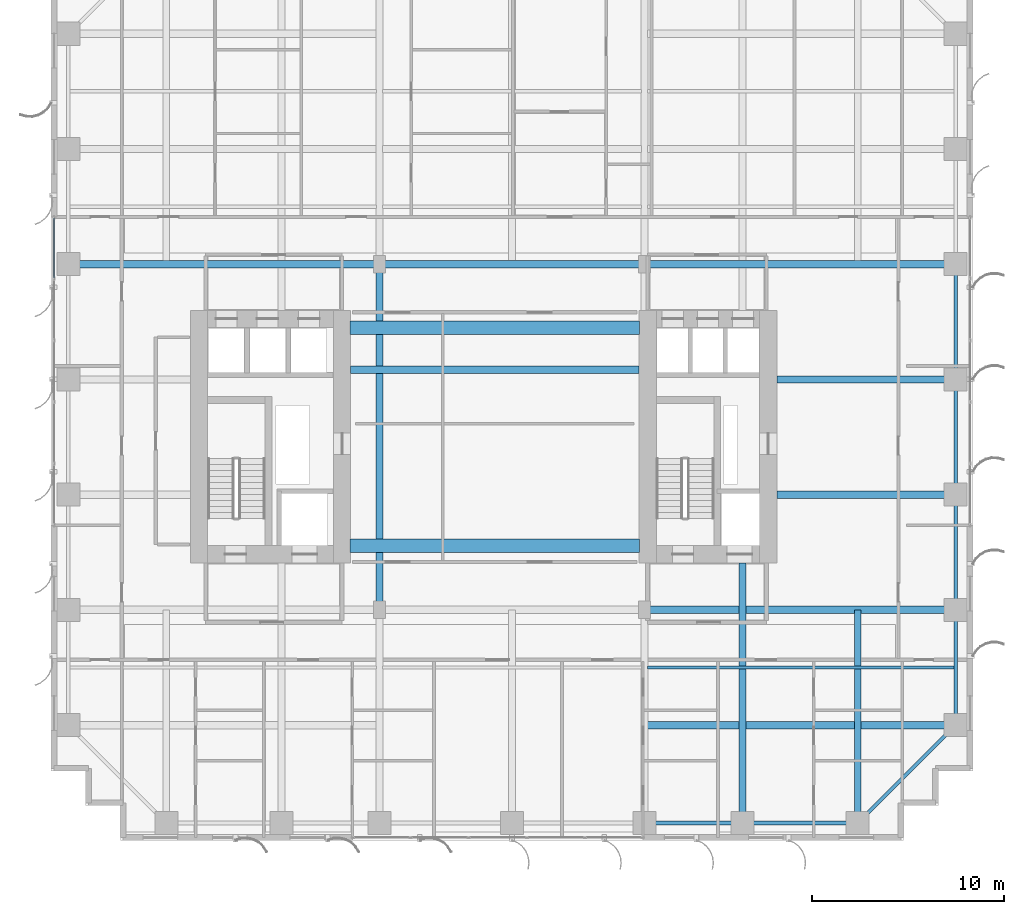
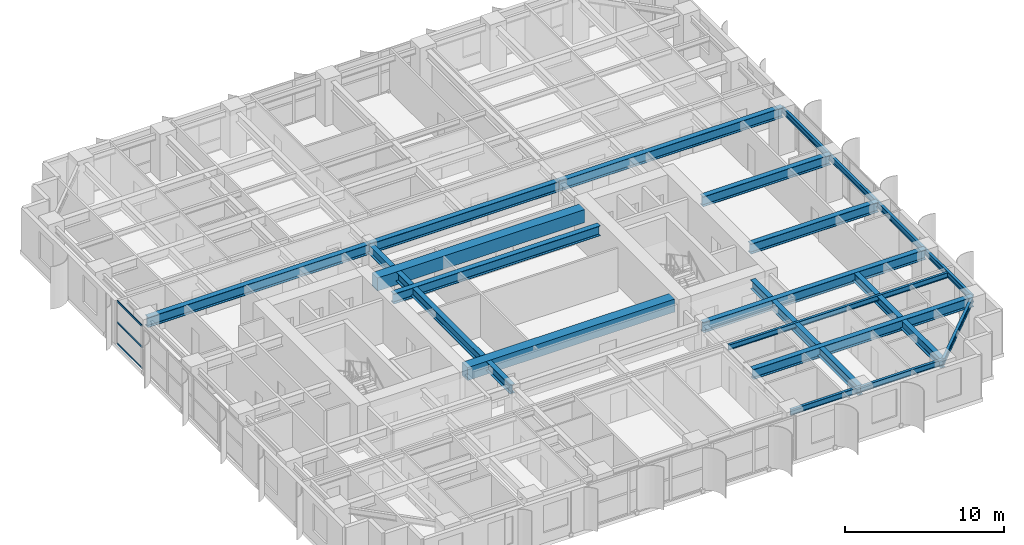
# One storey, part 6 of 24: 21 beams, 3 members, 1 element without a shape of its own.
"""IFC4 building model written with IfcOpenShell, lengths in metres."""

from ifc_helpers import new_model, si_unit, direction, frame, origin, origin_2d, place, context, subcontext, project, spatial, rectangle, hollow_rectangle, i_section, extrude, source, transform, mapped, material, layer, layer_set, material_profile, profile_set, type_object, element, aggregate, save


model = new_model("IFC4")

# Units and contexts
model_context = context("Model", 3, precision=1e-05, world=origin(), true_north=direction((0.0, 1.0)))
body_context = subcontext(model_context, "Body", "Model", "MODEL_VIEW")
ifc_project = project(units=[si_unit("LENGTHUNIT", "METRE"), si_unit("AREAUNIT", "SQUARE_METRE"), si_unit("VOLUMEUNIT", "CUBIC_METRE"), si_unit("PLANEANGLEUNIT", "RADIAN"), si_unit("MASSUNIT", "GRAM", prefix="KILO")], contexts=[model_context])

# Site, building, storey
site_placement = place(None, origin())
site = spatial("IfcSite", under=ifc_project, at=site_placement, CompositionType="ELEMENT")
building_placement = place(site_placement, origin())
building = spatial("IfcBuilding", under=site, at=building_placement, Name="Khoralis Quay Care Tower", CompositionType="ELEMENT")
storey_placement = place(building_placement, frame((0.0, 0.0, 40.5)))
storey = spatial("IfcBuildingStorey", under=building, at=storey_placement, Name="L10", CompositionType="ELEMENT", Elevation=40.5)

# Beams
ifc_material_1 = material(Name="Concrete C80/95", Category="concrete")
ifc_material_profile_1 = material_profile(ifc_material_1, rectangle(XDim=0.699951171875, YDim=1.0, at=origin_2d()), Name="Concrete C80/95")
ifc_profile_set_1 = profile_set([ifc_material_profile_1], Name="Concrete C80/95")
beam_type_1 = type_object("IfcBeamType", Name="CB-RC700X1000", PredefinedType="LINTEL", material=ifc_profile_set_1)
shared_shape_1 = source(origin(), body_context, "Body", "SweptSolid", [
    extrude(rectangle(XDim=0.699951171875, YDim=1.0, at=origin_2d()), origin(), (0.0, 0.0, 1.0), 15.079833984375),
])
for number, where, z_axis, x_axis, name in (
    (1, (15.570068359375, 15.35009765625, 2.820068359375), (1.0, 0.0, 0.0), (0.0, 1.0, 0.0), "L10 South Core Coupling Lintel"),
    (2, (15.570068359375, 26.699951171875, 2.820068359375), (1.0, 0.0, 0.0), (0.0, 1.0, 0.0), "L10 North Core Coupling Lintel"),
):
    element("IfcBeam", number, at=place(storey_placement, frame(where, z_axis=z_axis, x_axis=x_axis)), inside=storey, type_object=beam_type_1, Name=name, PredefinedType="LINTEL", context=body_context, shape_type="MappedRepresentation", body=[
        mapped(shared_shape_1, transform((0.0, 0.0, 0.0), scale=1.0)),
    ])
ifc_material_2 = material(Name="Steel S355", Category="steel")
ifc_material_profile_2 = material_profile(ifc_material_2, i_section(OverallWidth=0.18994140625, OverallDepth=0.449951171875, WebThickness=0.009521484375, FlangeThickness=0.0146484375, FilletRadius=0.02099609375, at=origin_2d()), Name="Steel S355")
ifc_profile_set_2 = profile_set([ifc_material_profile_2], Name="Steel S355")
beam_type_2 = type_object("IfcBeamType", Name="BM-IPE450", PredefinedType="SPANDREL", material=ifc_profile_set_2)
shared_shape_2 = source(origin(), body_context, "Body", "SweptSolid", [
    extrude(i_section(OverallWidth=0.18994140625, OverallDepth=0.449951171875, WebThickness=0.009521484375, FlangeThickness=0.0146484375, FilletRadius=0.02099609375, at=origin_2d()), origin(), (0.0, 0.0, 1.0), 6.0),
])
for number, where, z_axis, x_axis, name in (
    (3, (36.0, 0.89990234375, 3.094970703125), (1.0, 0.0, 0.0), (0.0, 1.0, 0.0), "BM-TSP-L10-06"),
    (4, (47.10009765625, 6.0, 3.094970703125), (0.0, 1.0, 0.0), (-1.0, 0.0, 0.0), "BM-TSP-L10-19"),
    (5, (47.10009765625, 12.0, 3.094970703125), (0.0, 1.0, 0.0), (-1.0, 0.0, 0.0), "BM-TSP-L10-20"),
    (6, (47.10009765625, 18.0, 3.094970703125), (0.0, 1.0, 0.0), (-1.0, 0.0, 0.0), "BM-TSP-L10-21"),
    (7, (47.10009765625, 24.0, 3.094970703125), (0.0, 1.0, 0.0), (-1.0, 0.0, 0.0), "BM-TSP-L10-22"),
):
    element("IfcBeam", number, at=place(storey_placement, frame(where, z_axis=z_axis, x_axis=x_axis)), inside=storey, type_object=beam_type_2, Name=name, PredefinedType="SPANDREL", context=body_context, shape_type="MappedRepresentation", body=[
        mapped(shared_shape_2, transform((0.0, 0.0, 0.0), scale=1.0)),
    ])
shared_shape_3 = source(origin(), body_context, "Body", "SweptSolid", [
    extrude(i_section(OverallWidth=0.18994140625, OverallDepth=0.449951171875, WebThickness=0.009521484375, FlangeThickness=0.0146484375, FilletRadius=0.02099609375, at=origin_2d()), origin(), (0.0, 0.0, 1.0), 5.10009765625),
])
beam_1_placement = place(storey_placement, frame((30.89990234375, 0.89990234375, 3.094970703125), z_axis=(1.0, 0.0, 0.0), x_axis=(0.0, 1.0, 0.0)))
element("IfcBeam", 8, at=beam_1_placement, inside=storey, type_object=beam_type_2, Name="BM-TSP-L10-05", PredefinedType="SPANDREL", context=body_context, shape_type="MappedRepresentation", body=[
    mapped(shared_shape_3, transform((0.0, 0.0, 0.0), scale=1.0)),
])
shared_shape_4 = source(origin(), body_context, "Body", "SweptSolid", [
    extrude(i_section(OverallWidth=0.18994140625, OverallDepth=0.449951171875, WebThickness=0.009521484375, FlangeThickness=0.0146484375, FilletRadius=0.02099609375, at=origin_2d()), origin(), (0.0, 0.0, 1.0), 7.212646484375),
])
beam_2_placement = place(storey_placement, frame((42.0, 0.89990234375, 3.094970703125), z_axis=(0.707106781187, 0.707106781187, 0.0), x_axis=(-0.707106781187, 0.707106781187, 0.0)))
element("IfcBeam", 9, at=beam_2_placement, inside=storey, type_object=beam_type_2, Name="BM-TCR-L10-26", PredefinedType="SPANDREL", context=body_context, shape_type="MappedRepresentation", body=[
    mapped(shared_shape_4, transform((0.0, 0.0, 0.0), scale=1.0)),
])
ifc_material_profile_3 = material_profile(ifc_material_2, i_section(OverallWidth=0.381103515625, OverallDepth=0.77294921875, WebThickness=0.0166015625, FlangeThickness=0.027587890625, FilletRadius=0.02197265625, at=origin_2d()), Name="Steel S355")
ifc_profile_set_3 = profile_set([ifc_material_profile_3], Name="Steel S355")
beam_type_3 = type_object("IfcBeamType", Name="BM-W760X257", PredefinedType="BEAM", material=ifc_profile_set_3)
shared_shape_5 = source(origin(), body_context, "Body", "SweptSolid", [
    extrude(i_section(OverallWidth=0.381103515625, OverallDepth=0.77294921875, WebThickness=0.0166015625, FlangeThickness=0.027587890625, FilletRadius=0.02197265625, at=origin_2d()), origin(), (0.0, 0.0, 1.0), 16.03466796875),
])
beam_3_placement = place(storey_placement, frame((31.0654296875, 6.0, 2.93359375), z_axis=(1.0, 0.0, 0.0), x_axis=(0.0, 1.0, 0.0)))
element("IfcBeam", 10, at=beam_3_placement, inside=storey, type_object=beam_type_3, Name="BM-TGXE-L10-60", PredefinedType="BEAM", context=body_context, shape_type="MappedRepresentation", body=[
    mapped(shared_shape_5, transform((0.0, 0.0, 0.0), scale=1.0)),
])
shared_shape_6 = source(origin(), body_context, "Body", "SweptSolid", [
    extrude(i_section(OverallWidth=0.381103515625, OverallDepth=0.77294921875, WebThickness=0.0166015625, FlangeThickness=0.027587890625, FilletRadius=0.02197265625, at=origin_2d()), origin(), (0.0, 0.0, 1.0), 16.2001953125),
])
for number, where, z_axis, x_axis, name in (
    (11, (0.89990234375, 30.0, 2.93359375), (1.0, 0.0, 0.0), (0.0, 1.0, 0.0), "BM-TGXW-L10-300"),
    (12, (30.89990234375, 12.0, 2.93359375), (1.0, 0.0, 0.0), (0.0, 1.0, 0.0), "BM-TGXE-L10-120"),
    (13, (30.89990234375, 30.0, 2.93359375), (1.0, 0.0, 0.0), (0.0, 1.0, 0.0), "BM-TGXE-L10-300"),
):
    element("IfcBeam", number, at=place(storey_placement, frame(where, z_axis=z_axis, x_axis=x_axis)), inside=storey, type_object=beam_type_3, Name=name, PredefinedType="BEAM", context=body_context, shape_type="MappedRepresentation", body=[
        mapped(shared_shape_6, transform((0.0, 0.0, 0.0), scale=1.0)),
    ])
shared_shape_7 = source(origin(), body_context, "Body", "SweptSolid", [
    extrude(i_section(OverallWidth=0.381103515625, OverallDepth=0.77294921875, WebThickness=0.0166015625, FlangeThickness=0.027587890625, FilletRadius=0.02197265625, at=origin_2d()), origin(), (0.0, 0.0, 1.0), 9.302001953125),
])
for number, where, z_axis, x_axis, name in (
    (14, (37.798095703125, 18.0, 2.93359375), (1.0, 0.0, 0.0), (0.0, 1.0, 0.0), "BM-TGXE-L10-180"),
    (15, (37.798095703125, 24.0, 2.93359375), (1.0, 0.0, 0.0), (0.0, 1.0, 0.0), "BM-TGXE-L10-240"),
):
    element("IfcBeam", number, at=place(storey_placement, frame(where, z_axis=z_axis, x_axis=x_axis)), inside=storey, type_object=beam_type_3, Name=name, PredefinedType="BEAM", context=body_context, shape_type="MappedRepresentation", body=[
        mapped(shared_shape_7, transform((0.0, 0.0, 0.0), scale=1.0)),
    ])
shared_shape_8 = source(origin(), body_context, "Body", "SweptSolid", [
    extrude(i_section(OverallWidth=0.381103515625, OverallDepth=0.77294921875, WebThickness=0.0166015625, FlangeThickness=0.027587890625, FilletRadius=0.02197265625, at=origin_2d()), origin(), (0.0, 0.0, 1.0), 13.7998046875),
])
beam_4_placement = place(storey_placement, frame((17.10009765625, 30.0, 2.93359375), z_axis=(1.0, 0.0, 0.0), x_axis=(0.0, 1.0, 0.0)))
element("IfcBeam", 16, at=beam_4_placement, inside=storey, type_object=beam_type_3, Name="BM-TGCC-L10-300", PredefinedType="BEAM", context=body_context, shape_type="MappedRepresentation", body=[
    mapped(shared_shape_8, transform((0.0, 0.0, 0.0), scale=1.0)),
])
shared_shape_9 = source(origin(), body_context, "Body", "SweptSolid", [
    extrude(i_section(OverallWidth=0.381103515625, OverallDepth=0.77294921875, WebThickness=0.0166015625, FlangeThickness=0.027587890625, FilletRadius=0.02197265625, at=origin_2d()), origin(), (0.0, 0.0, 1.0), 15.024169921875),
])
beam_5_placement = place(storey_placement, frame((15.597900390625, 24.5, 2.93359375), z_axis=(1.0, 0.0, 0.0), x_axis=(0.0, 1.0, 0.0)))
element("IfcBeam", 17, at=beam_5_placement, inside=storey, type_object=beam_type_3, Name="BM-TGCC-L10-245", PredefinedType="BEAM", context=body_context, shape_type="MappedRepresentation", body=[
    mapped(shared_shape_9, transform((0.0, 0.0, 0.0), scale=1.0)),
])
ifc_material_profile_4 = material_profile(ifc_material_2, i_section(OverallWidth=0.35498046875, OverallDepth=0.695068359375, WebThickness=0.015380859375, FlangeThickness=0.02490234375, FilletRadius=0.02001953125, at=origin_2d()), Name="Steel S355")
ifc_profile_set_4 = profile_set([ifc_material_profile_4], Name="Steel S355")
beam_type_4 = type_object("IfcBeamType", Name="BM-W690X217", PredefinedType="BEAM", material=ifc_profile_set_4)
shared_shape_10 = source(origin(), body_context, "Body", "SweptSolid", [
    extrude(i_section(OverallWidth=0.35498046875, OverallDepth=0.695068359375, WebThickness=0.015380859375, FlangeThickness=0.02490234375, FilletRadius=0.02001953125, at=origin_2d()), origin(), (0.0, 0.0, 1.0), 11.10009765625),
])
beam_6_placement = place(storey_placement, frame((42.0, 0.89990234375, 2.972412109375), z_axis=(0.0, 1.0, 0.0), x_axis=(-1.0, 0.0, 0.0)))
element("IfcBeam", 18, at=beam_6_placement, inside=storey, type_object=beam_type_4, Name="BM-TGYS-L10-420", PredefinedType="BEAM", context=body_context, shape_type="MappedRepresentation", body=[
    mapped(shared_shape_10, transform((0.0, 0.0, 0.0), scale=1.0)),
])
shared_shape_11 = source(origin(), body_context, "Body", "SweptSolid", [
    extrude(i_section(OverallWidth=0.35498046875, OverallDepth=0.695068359375, WebThickness=0.015380859375, FlangeThickness=0.02490234375, FilletRadius=0.02001953125, at=origin_2d()), origin(), (0.0, 0.0, 1.0), 13.552001953125),
])
beam_7_placement = place(storey_placement, frame((36.0, 0.89990234375, 2.972412109375), z_axis=(0.0, 1.0, 0.0), x_axis=(-1.0, 0.0, 0.0)))
element("IfcBeam", 19, at=beam_7_placement, inside=storey, type_object=beam_type_4, Name="BM-TGYS-L10-360", PredefinedType="BEAM", context=body_context, shape_type="MappedRepresentation", body=[
    mapped(shared_shape_11, transform((0.0, 0.0, 0.0), scale=1.0)),
])
shared_shape_12 = source(origin(), body_context, "Body", "SweptSolid", [
    extrude(i_section(OverallWidth=0.35498046875, OverallDepth=0.695068359375, WebThickness=0.015380859375, FlangeThickness=0.02490234375, FilletRadius=0.02001953125, at=origin_2d()), origin(), (0.0, 0.0, 1.0), 18.0),
])
beam_8_placement = place(storey_placement, frame((17.10009765625, 12.0, 2.972412109375), z_axis=(0.0, 1.0, 0.0), x_axis=(-1.0, 0.0, 0.0)))
element("IfcBeam", 20, at=beam_8_placement, inside=storey, type_object=beam_type_4, Name="BM-TGSW-L10", PredefinedType="BEAM", context=body_context, shape_type="MappedRepresentation", body=[
    mapped(shared_shape_12, transform((0.0, 0.0, 0.0), scale=1.0)),
])
ifc_material_profile_5 = material_profile(ifc_material_2, i_section(OverallWidth=0.177978515625, OverallDepth=0.406982421875, WebThickness=0.0078125, FlangeThickness=0.0126953125, FilletRadius=0.012939453125, at=origin_2d()), Name="Steel S355")
ifc_profile_set_5 = profile_set([ifc_material_profile_5], Name="Steel S355")
beam_type_5 = type_object("IfcBeamType", Name="BM-W410X60", PredefinedType="JOIST", material=ifc_profile_set_5)
shared_shape_13 = source(origin(), body_context, "Body", "SweptSolid", [
    extrude(i_section(OverallWidth=0.177978515625, OverallDepth=0.406982421875, WebThickness=0.0078125, FlangeThickness=0.0126953125, FilletRadius=0.012939453125, at=origin_2d()), origin(), (0.0, 0.0, 1.0), 15.95361328125),
])
beam_9_placement = place(storey_placement, frame((31.0654296875, 9.0, 3.116455078125), z_axis=(1.0, 0.0, 0.0), x_axis=(0.0, 1.0, 0.0)))
element("IfcBeam", 21, at=beam_9_placement, inside=storey, type_object=beam_type_5, Name="BM-TJS-L10-30", PredefinedType="JOIST", context=body_context, shape_type="MappedRepresentation", body=[
    mapped(shared_shape_13, transform((0.0, 0.0, 0.0), scale=1.0)),
])

# Curtain wall, members
ifc_material_3 = material(Name="Pale anodised aluminium", Category="aluminium")
ifc_layer = layer(ifc_material_3, 0.179931640625)
ifc_layer_set = layer_set([ifc_layer], Name="Pale anodised aluminium")
curtain_wall_type = type_object("IfcCurtainWallType", Name="CW-SYS-Z1", PredefinedType="NOTDEFINED", material=ifc_layer_set)
curtain_wall_placement = place(storey_placement, origin())
curtain_wall = element("IfcCurtainWall", 22, at=curtain_wall_placement, inside=storey, type_object=curtain_wall_type, Name="L10 Unitised Curtain Wall CW-L10-P1-E15", PredefinedType="NOTDEFINED")
ifc_material_profile_6 = material_profile(ifc_material_3, hollow_rectangle(XDim=0.06005859375, YDim=0.139892578125, WallThickness=0.00390625, at=origin_2d()), Name="Pale anodised aluminium")
ifc_profile_set_6 = profile_set([ifc_material_profile_6], Name="Pale anodised aluminium")
member_type = type_object("IfcMemberType", Name="CW-TRN-140", PredefinedType="USERDEFINED", material=ifc_profile_set_6)
shared_shape_14 = source(origin(), body_context, "Body", "SweptSolid", [
    extrude(hollow_rectangle(XDim=0.06005859375, YDim=0.139892578125, WallThickness=0.00390625, at=origin_2d()), origin(), (0.0, 0.0, 1.0), 3.121826171875),
])
member_1_placement = place(storey_placement, frame((0.14990234375, 32.39990234375, 0.030029296875), z_axis=(0.0, -1.0, 0.0), x_axis=(1.0, 0.0, 0.0)))
member_1 = element("IfcMember", 23, at=member_1_placement, type_object=member_type, Name="CW1 transom 1.1", ObjectType="TRANSOM", PredefinedType="USERDEFINED", context=body_context, shape_type="MappedRepresentation", body=[
    mapped(shared_shape_14, transform((0.0, 0.0, 0.0), scale=1.0)),
])
member_2_placement = place(storey_placement, frame((0.14990234375, 32.39990234375, 1.659912109375), z_axis=(0.0, -1.0, 0.0), x_axis=(1.0, 0.0, 0.0)))
member_2 = element("IfcMember", 24, at=member_2_placement, type_object=member_type, Name="CW1 transom 1.2", ObjectType="TRANSOM", PredefinedType="USERDEFINED", context=body_context, shape_type="MappedRepresentation", body=[
    mapped(shared_shape_14, transform((0.0, 0.0, 0.0), scale=1.0)),
])
member_3_placement = place(storey_placement, frame((0.14990234375, 32.39990234375, 3.2900390625), z_axis=(0.0, -1.0, 0.0), x_axis=(1.0, 0.0, 0.0)))
member_3 = element("IfcMember", 25, at=member_3_placement, type_object=member_type, Name="CW1 transom 1.3", ObjectType="TRANSOM", PredefinedType="USERDEFINED", context=body_context, shape_type="MappedRepresentation", body=[
    mapped(shared_shape_14, transform((0.0, 0.0, 0.0), scale=1.0)),
])
aggregate(curtain_wall, [member_1, member_2, member_3])

save(model, "model.ifc")
